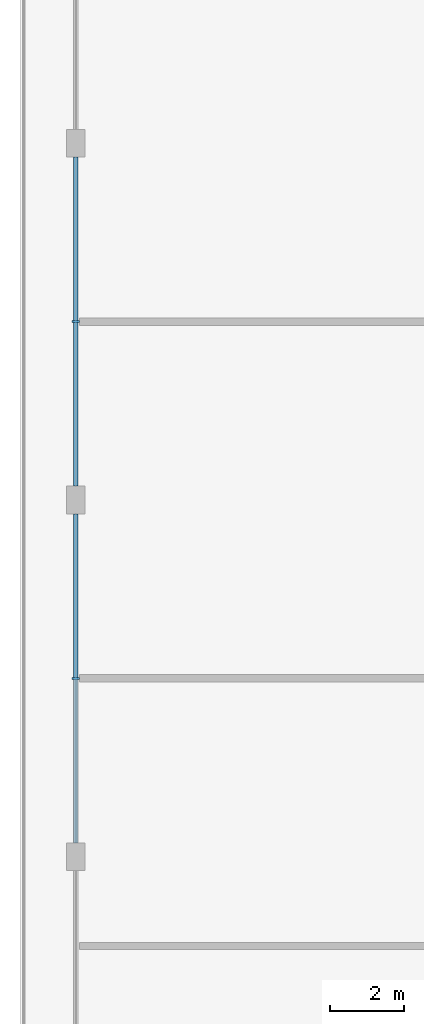
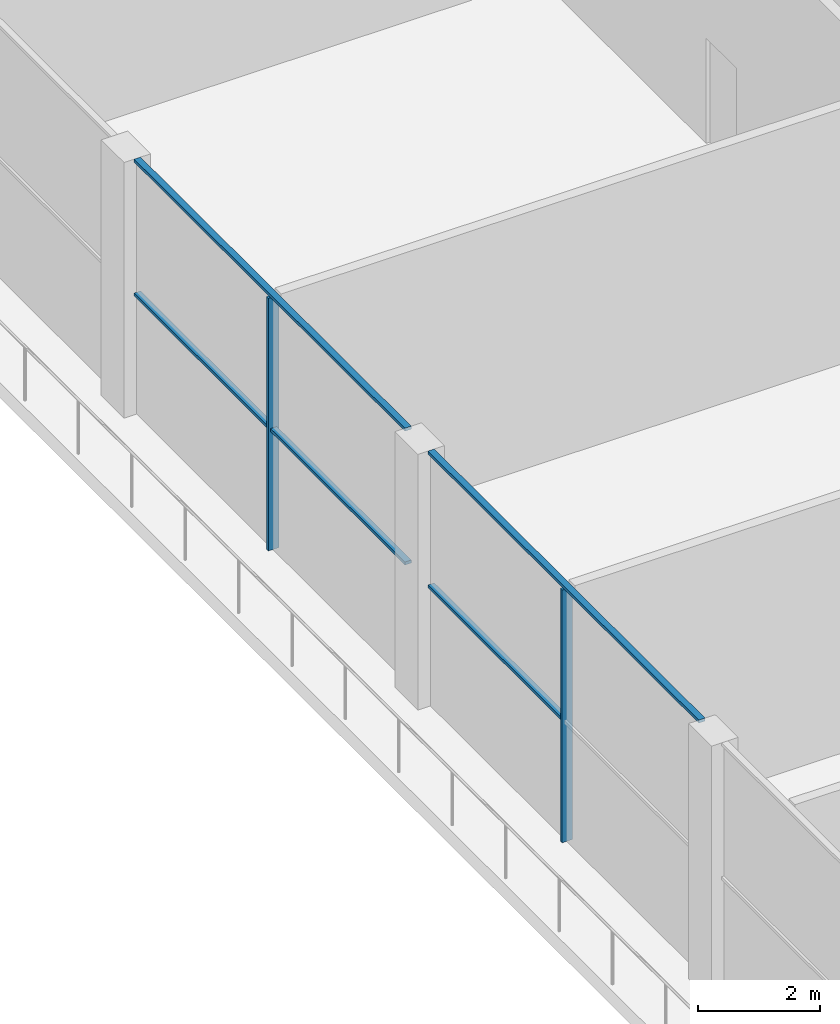
# One storey, part 3 of 15: 7 members, 2 elements without a shape of their own.
"""IFC4 building model written with IfcOpenShell, lengths in metres."""

from ifc_helpers import new_model, si_unit, direction, frame, origin, origin_2d, place, context, subcontext, project, spatial, rectangle, extrude, material, layer, layer_set, material_profile, profile_set, type_object, element, aggregate, save


model = new_model("IFC4")

# Units and contexts
model_context = context("Model", 3, precision=1e-05, world=origin(), true_north=direction((0.0, 1.0)))
body_context = subcontext(model_context, "Body", "Model", "MODEL_VIEW")
ifc_project = project(units=[si_unit("LENGTHUNIT", "METRE"), si_unit("AREAUNIT", "SQUARE_METRE"), si_unit("VOLUMEUNIT", "CUBIC_METRE"), si_unit("PLANEANGLEUNIT", "RADIAN"), si_unit("MASSUNIT", "GRAM", prefix="KILO")], contexts=[model_context])

# Site, building, storey
site_placement = place(None, origin())
site = spatial("IfcSite", under=ifc_project, at=site_placement, CompositionType="ELEMENT")
building_placement = place(site_placement, origin())
building = spatial("IfcBuilding", under=site, at=building_placement, Name="Madar Terraces", CompositionType="ELEMENT")
storey_placement = place(building_placement, frame((0.0, 0.0, 286.10009765625)))
storey = spatial("IfcBuildingStorey", under=building, at=storey_placement, Name="L75", CompositionType="ELEMENT", Elevation=286.10009765625)

# Curtain wall, member
ifc_material_1 = material(Name="Glass, clear low-iron, with black aluminium frame", Category="aluminium")
ifc_layer = layer(ifc_material_1, 0.199951171875)
ifc_layer_set = layer_set([ifc_layer], Name="Facade curtain wall, observation glazing")
curtain_wall_type = type_object("IfcCurtainWallType", Name="Facade curtain wall, observation glazing", PredefinedType="NOTDEFINED", material=ifc_layer_set)
curtain_wall_1_placement = place(storey_placement, origin())
curtain_wall_1 = element("IfcCurtainWall", 1, at=curtain_wall_1_placement, inside=storey, type_object=curtain_wall_type, Name="Outer skin curtain wall west bay 2", PredefinedType="NOTDEFINED")
ifc_material_2 = material(Name="Aluminium, black anodised", Category="aluminium")
ifc_material_profile_1 = material_profile(ifc_material_2, rectangle(XDim=0.199951171875, YDim=0.06005859375, at=origin_2d()), Name="Facade mullion 60x200")
ifc_profile_set_1 = profile_set([ifc_material_profile_1], Name="Aluminium, black anodised")
member_type_1 = type_object("IfcMemberType", Name="Facade mullion 60x200", PredefinedType="MULLION", material=ifc_profile_set_1)
member_1_placement = place(storey_placement, frame((0.0, 28.800048828125, 0.0), z_axis=(0.0, 0.0, 1.0), x_axis=(1.0, 0.0, 0.0)))
member_1 = element("IfcMember", 2, at=member_1_placement, type_object=member_type_1, Name="Mullion 1", PredefinedType="MULLION", context=body_context, shape_type="SweptSolid", body=[
    extrude(rectangle(XDim=0.199951171875, YDim=0.06005859375, at=origin_2d()), origin(), (0.0, 0.0, 1.0), 5.039794921875),
])

curtain_wall_2_placement = place(storey_placement, origin())
curtain_wall_2 = element("IfcCurtainWall", 3, at=curtain_wall_2_placement, inside=storey, type_object=curtain_wall_type, Name="Outer skin curtain wall west bay 3", PredefinedType="NOTDEFINED")
member_2_placement = place(storey_placement, frame((0.0, 19.199951171875, 0.0), z_axis=(0.0, 0.0, 1.0), x_axis=(1.0, 0.0, 0.0)))
member_2 = element("IfcMember", 4, at=member_2_placement, type_object=member_type_1, Name="Mullion 1", PredefinedType="MULLION", context=body_context, shape_type="SweptSolid", body=[
    extrude(rectangle(XDim=0.199951171875, YDim=0.06005859375, at=origin_2d()), origin(), (0.0, 0.0, 1.0), 5.039794921875),
])

# Member
ifc_material_3 = material(Name="Aluminium, black anodised", Category="aluminium")
ifc_material_profile_2 = material_profile(ifc_material_3, rectangle(XDim=0.1201171875, YDim=0.06005859375, at=origin_2d()), Name="Facade transom 60x120")
ifc_profile_set_2 = profile_set([ifc_material_profile_2], Name="Aluminium, black anodised")
member_type_2 = type_object("IfcMemberType", Name="Facade transom 60x120", PredefinedType="USERDEFINED", material=ifc_profile_set_2)
member_3_placement = place(storey_placement, frame((0.0, 33.22509765625, 5.06982421875), z_axis=(0.0, -1.0, 0.0), x_axis=(1.0, 0.0, 0.0)))
member_3 = element("IfcMember", 5, at=member_3_placement, type_object=member_type_2, Name="Transom 1", ObjectType="TRANSOM", PredefinedType="USERDEFINED", context=body_context, shape_type="SweptSolid", body=[
    extrude(rectangle(XDim=0.1201171875, YDim=0.06005859375, at=origin_2d()), origin(), (0.0, 0.0, 1.0), 8.85009765625),
])

member_4_placement = place(storey_placement, frame((0.0, 33.22509765625, 2.39990234375), z_axis=(0.0, -1.0, 0.0), x_axis=(1.0, 0.0, 0.0)))
member_4 = element("IfcMember", 6, at=member_4_placement, type_object=member_type_2, Name="Transom 2", ObjectType="TRANSOM", PredefinedType="USERDEFINED", context=body_context, shape_type="SweptSolid", body=[
    extrude(rectangle(XDim=0.1201171875, YDim=0.06005859375, at=origin_2d()), origin(), (0.0, 0.0, 1.0), 4.39501953125),
])

member_5_placement = place(storey_placement, frame((0.0, 28.77001953125, 2.39990234375), z_axis=(0.0, -1.0, 0.0), x_axis=(1.0, 0.0, 0.0)))
member_5 = element("IfcMember", 7, at=member_5_placement, type_object=member_type_2, Name="Transom 3", ObjectType="TRANSOM", PredefinedType="USERDEFINED", context=body_context, shape_type="SweptSolid", body=[
    extrude(rectangle(XDim=0.1201171875, YDim=0.06005859375, at=origin_2d()), origin(), (0.0, 0.0, 1.0), 4.39501953125),
])

aggregate(curtain_wall_1, [member_1, member_3, member_4, member_5])

member_6_placement = place(storey_placement, frame((0.0, 23.625, 5.06982421875), z_axis=(0.0, -1.0, 0.0), x_axis=(1.0, 0.0, 0.0)))
member_6 = element("IfcMember", 8, at=member_6_placement, type_object=member_type_2, Name="Transom 1", ObjectType="TRANSOM", PredefinedType="USERDEFINED", context=body_context, shape_type="SweptSolid", body=[
    extrude(rectangle(XDim=0.1201171875, YDim=0.06005859375, at=origin_2d()), origin(), (0.0, 0.0, 1.0), 8.85009765625),
])

member_7_placement = place(storey_placement, frame((0.0, 23.625, 2.39990234375), z_axis=(0.0, -1.0, 0.0), x_axis=(1.0, 0.0, 0.0)))
member_7 = element("IfcMember", 9, at=member_7_placement, type_object=member_type_2, Name="Transom 2", ObjectType="TRANSOM", PredefinedType="USERDEFINED", context=body_context, shape_type="SweptSolid", body=[
    extrude(rectangle(XDim=0.1201171875, YDim=0.06005859375, at=origin_2d()), origin(), (0.0, 0.0, 1.0), 4.39501953125),
])

aggregate(curtain_wall_2, [member_2, member_6, member_7])

save(model, "model.ifc")
